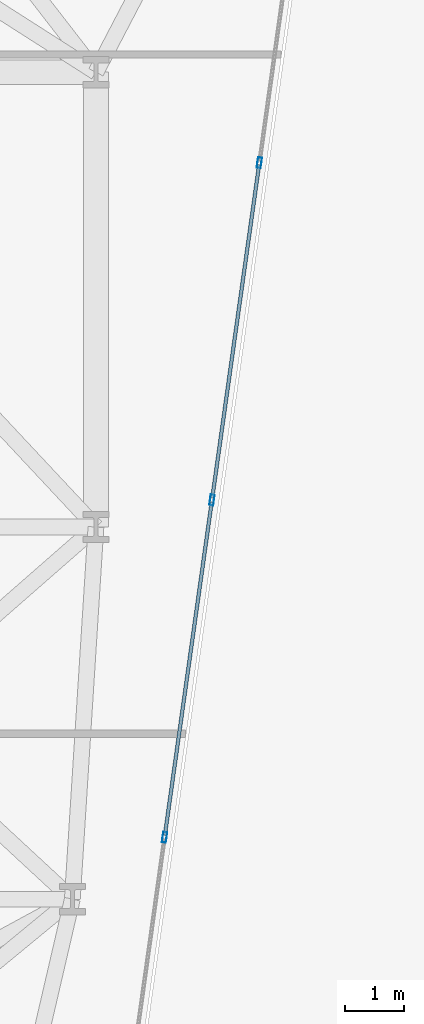
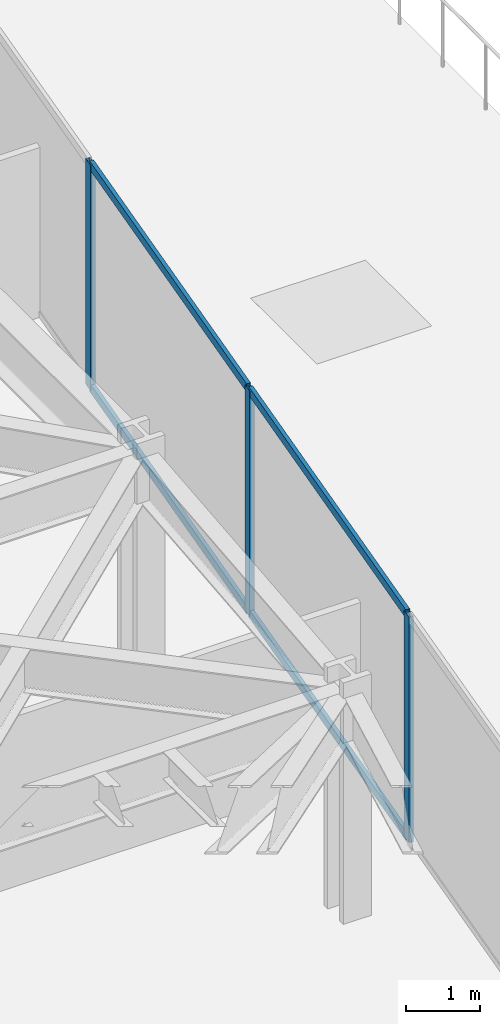
# One storey, part 14 of 25: 7 members, 1 element without a shape of its own.
"""IFC4 building model written with IfcOpenShell, lengths in metres."""

from ifc_helpers import new_model, si_unit, direction, frame, origin, origin_2d, place, context, subcontext, project, spatial, hollow_rectangle, extrude, material, layer, layer_set, material_profile, profile_set, type_object, element, aggregate, save


model = new_model("IFC4")

# Units and contexts
model_context = context("Model", 3, precision=1e-05, world=origin(), true_north=direction((0.0, 1.0)))
body_context = subcontext(model_context, "Body", "Model", "MODEL_VIEW")
ifc_project = project(units=[si_unit("LENGTHUNIT", "METRE"), si_unit("AREAUNIT", "SQUARE_METRE"), si_unit("VOLUMEUNIT", "CUBIC_METRE"), si_unit("PLANEANGLEUNIT", "RADIAN"), si_unit("MASSUNIT", "GRAM", prefix="KILO")], contexts=[model_context])

# Site, building, storey
site_placement = place(None, origin())
site = spatial("IfcSite", under=ifc_project, at=site_placement, CompositionType="ELEMENT")
building_placement = place(site_placement, origin())
building = spatial("IfcBuilding", under=site, at=building_placement, Name="Kravanh Interchange Tower", CompositionType="ELEMENT")
storey_placement = place(building_placement, frame((0.0, 0.0, 29.5)))
storey = spatial("IfcBuildingStorey", under=building, at=storey_placement, Name="L06", CompositionType="ELEMENT", Elevation=29.5)

# Curtain wall, members
ifc_material_1 = material(Name="Anodised Bronze Aluminium", Category="aluminium")
ifc_layer = layer(ifc_material_1, 0.179931640625)
ifc_layer_set = layer_set([ifc_layer], Name="Unitised Curtain Wall System CW-Z1 Lower Office")
curtain_wall_type = type_object("IfcCurtainWallType", Name="Unitised Curtain Wall System CW-Z1 Lower Office", PredefinedType="NOTDEFINED", material=ifc_layer_set)
curtain_wall_placement = place(storey_placement, origin())
curtain_wall = element("IfcCurtainWall", 1, at=curtain_wall_placement, inside=storey, type_object=curtain_wall_type, Name="L06 Unitised Curtain Wall CW-L06-01", PredefinedType="NOTDEFINED")
ifc_material_2 = material(Name="Anodised Bronze Aluminium", Category="aluminium")
ifc_material_profile_1 = material_profile(ifc_material_2, hollow_rectangle(XDim=0.070068359375, YDim=0.179931640625, WallThickness=0.00390625, at=origin_2d()), Name="ALU70X180X4")
ifc_profile_set_1 = profile_set([ifc_material_profile_1], Name="Anodised Bronze Aluminium")
member_type_1 = type_object("IfcMemberType", Name="Curtain Wall Mullion ALU70X180X4 Bronze", PredefinedType="MULLION", material=ifc_profile_set_1)
member_1_placement = place(storey_placement, frame((65.96728515625, 20.66845703125, 0.0), z_axis=(0.0, 0.0, 1.0), x_axis=(0.990267585682, -0.139176538065, 0.0)))
member_1 = element("IfcMember", 2, at=member_1_placement, type_object=member_type_1, Name="CW-Z1 mullion 4", PredefinedType="MULLION", context=body_context, shape_type="SweptSolid", body=[
    extrude(hollow_rectangle(XDim=0.070068359375, YDim=0.179931640625, WallThickness=0.00390625, at=origin_2d()), origin(), (0.0, 0.0, 1.0), 3.739990234375),
])
member_2_placement = place(storey_placement, frame((65.164794921875, 14.957763671875, 0.0), z_axis=(0.0, 0.0, 1.0), x_axis=(0.990267585682, -0.139176538065, 0.0)))
member_2 = element("IfcMember", 3, at=member_2_placement, type_object=member_type_1, Name="CW-Z1 mullion 5", PredefinedType="MULLION", context=body_context, shape_type="SweptSolid", body=[
    extrude(hollow_rectangle(XDim=0.070068359375, YDim=0.179931640625, WallThickness=0.00390625, at=origin_2d()), origin(), (0.0, 0.0, 1.0), 3.739990234375),
])
member_3_placement = place(storey_placement, frame((64.3623046875, 9.247314453125, 0.0), z_axis=(0.0, 0.0, 1.0), x_axis=(0.990267585682, -0.139176538065, 0.0)))
member_3 = element("IfcMember", 4, at=member_3_placement, type_object=member_type_1, Name="CW-Z1 mullion 6", PredefinedType="MULLION", context=body_context, shape_type="SweptSolid", body=[
    extrude(hollow_rectangle(XDim=0.070068359375, YDim=0.179931640625, WallThickness=0.00390625, at=origin_2d()), origin(), (0.0, 0.0, 1.0), 3.739990234375),
])
ifc_material_3 = material(Name="Anodised Bronze Aluminium", Category="aluminium")
ifc_material_profile_2 = material_profile(ifc_material_3, hollow_rectangle(XDim=0.06005859375, YDim=0.139892578125, WallThickness=0.00390625, at=origin_2d()), Name="ALU60X140X4")
ifc_profile_set_2 = profile_set([ifc_material_profile_2], Name="Anodised Bronze Aluminium")
member_type_2 = type_object("IfcMemberType", Name="Curtain Wall Transom ALU60X140X4 Bronze", PredefinedType="USERDEFINED", material=ifc_profile_set_2)
member_4_placement = place(storey_placement, frame((65.96240234375, 20.6337890625, 0.030029296875), z_axis=(-0.139153051789, -0.990270886262, 0.0), x_axis=(0.990270886262, -0.139153051789, 0.0)))
member_4 = element("IfcMember", 5, at=member_4_placement, type_object=member_type_2, Name="CW-Z1 transom 4.1", ObjectType="TRANSOM", PredefinedType="USERDEFINED", context=body_context, shape_type="SweptSolid", body=[
    extrude(hollow_rectangle(XDim=0.06005859375, YDim=0.139892578125, WallThickness=0.00390625, at=origin_2d()), origin(), (0.0, 0.0, 1.0), 5.69677734375),
])
member_5_placement = place(storey_placement, frame((65.96240234375, 20.6337890625, 3.7099609375), z_axis=(-0.139153051789, -0.990270886262, 0.0), x_axis=(0.990270886262, -0.139153051789, 0.0)))
member_5 = element("IfcMember", 6, at=member_5_placement, type_object=member_type_2, Name="CW-Z1 transom 4.2", ObjectType="TRANSOM", PredefinedType="USERDEFINED", context=body_context, shape_type="SweptSolid", body=[
    extrude(hollow_rectangle(XDim=0.06005859375, YDim=0.139892578125, WallThickness=0.00390625, at=origin_2d()), origin(), (0.0, 0.0, 1.0), 5.69677734375),
])
member_6_placement = place(storey_placement, frame((65.159912109375, 14.923095703125, 0.030029296875), z_axis=(-0.139200984921, -0.990264149506, 0.0), x_axis=(0.990264149506, -0.139200984921, 0.0)))
member_6 = element("IfcMember", 7, at=member_6_placement, type_object=member_type_2, Name="CW-Z1 transom 5.1", ObjectType="TRANSOM", PredefinedType="USERDEFINED", context=body_context, shape_type="SweptSolid", body=[
    extrude(hollow_rectangle(XDim=0.06005859375, YDim=0.139892578125, WallThickness=0.00390625, at=origin_2d()), origin(), (0.0, 0.0, 1.0), 5.696533203125),
])
member_7_placement = place(storey_placement, frame((65.159912109375, 14.923095703125, 3.7099609375), z_axis=(-0.139200984921, -0.990264149506, 0.0), x_axis=(0.990264149506, -0.139200984921, 0.0)))
member_7 = element("IfcMember", 8, at=member_7_placement, type_object=member_type_2, Name="CW-Z1 transom 5.2", ObjectType="TRANSOM", PredefinedType="USERDEFINED", context=body_context, shape_type="SweptSolid", body=[
    extrude(hollow_rectangle(XDim=0.06005859375, YDim=0.139892578125, WallThickness=0.00390625, at=origin_2d()), origin(), (0.0, 0.0, 1.0), 5.696533203125),
])
aggregate(curtain_wall, [member_1, member_2, member_3, member_4, member_5, member_6, member_7])

save(model, "model.ifc")
